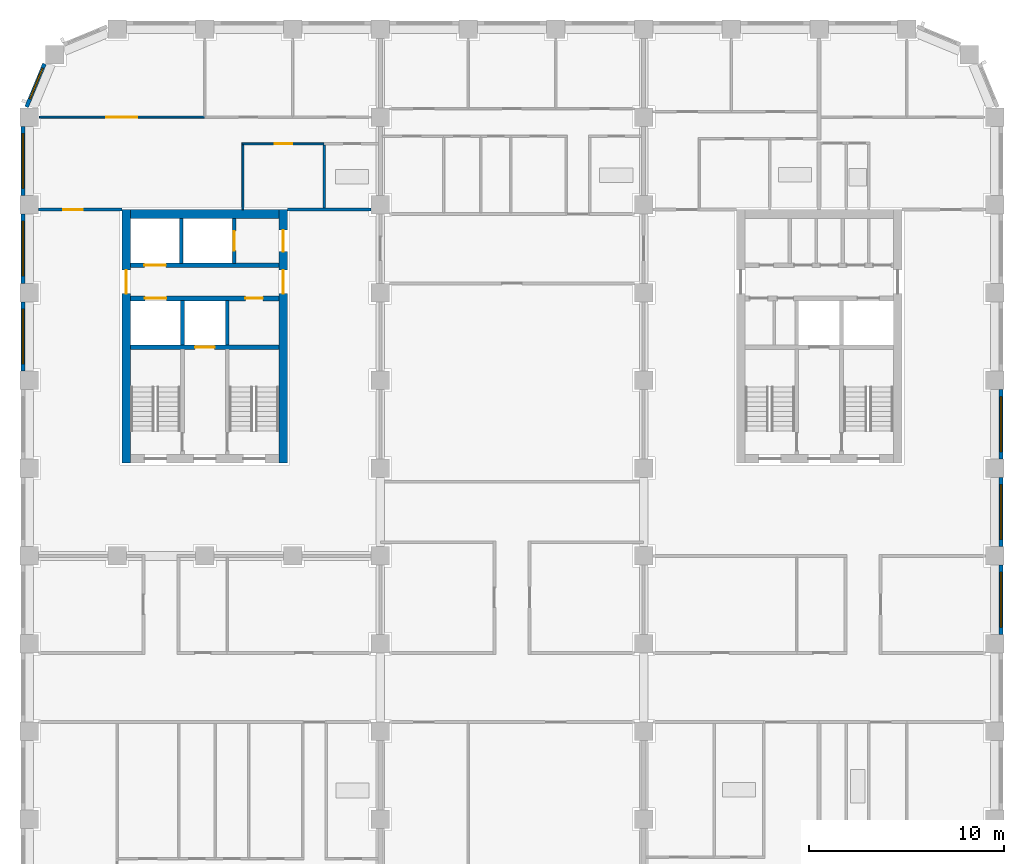
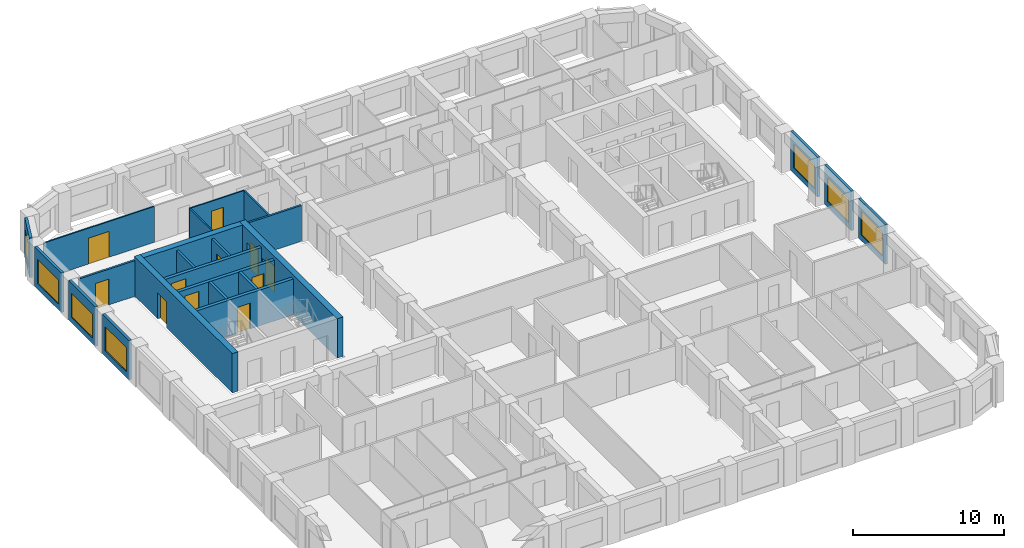
# One storey, part 6 of 13: 23 walls, 11 doors, 7 windows, 18 openings.
"""IFC4 building model written with IfcOpenShell, lengths in metres."""

from ifc_helpers import new_model, si_unit, direction, frame, frame_2d, origin, place, context, subcontext, project, spatial, rectangle, extrude, material, layer, layer_set, type_object, element, fill, save


model = new_model("IFC4")

# Units and contexts
model_context = context("Model", 3, precision=1e-05, world=origin(), true_north=direction((0.0, 1.0)))
body_context = subcontext(model_context, "Body", "Model", "MODEL_VIEW")
ifc_project = project(units=[si_unit("LENGTHUNIT", "METRE"), si_unit("AREAUNIT", "SQUARE_METRE"), si_unit("VOLUMEUNIT", "CUBIC_METRE"), si_unit("PLANEANGLEUNIT", "RADIAN"), si_unit("MASSUNIT", "GRAM", prefix="KILO")], contexts=[model_context])

# Site, building, storey
site_placement = place(None, origin())
site = spatial("IfcSite", under=ifc_project, at=site_placement, CompositionType="ELEMENT")
building_placement = place(site_placement, origin())
building = spatial("IfcBuilding", under=site, at=building_placement, Name="Girih Gate Residences", CompositionType="ELEMENT")
storey_placement = place(building_placement, frame((0.0, 0.0, 130.199951171875)))
storey = spatial("IfcBuildingStorey", under=building, at=storey_placement, Name="L36", CompositionType="ELEMENT", Elevation=130.199951171875)

# Wall, opening, door
ifc_material_1 = material(Name="Gypsum board on steel studs", Category="steel")
ifc_layer_1 = layer(ifc_material_1, 0.14990234375)
ifc_layer_set_1 = layer_set([ifc_layer_1], Name="Compartment wall 150 mm")
wall_type_1 = type_object("IfcWallType", Name="Compartment wall 150 mm", PredefinedType="PARTITIONING", material=ifc_layer_set_1)
wall_1_placement = place(storey_placement, frame((0.47509765625, 40.25, 0.0), z_axis=(0.0, 0.0, 1.0), x_axis=(1.0, 0.0, 0.0)))
wall_1 = element("IfcWall", 1, at=wall_1_placement, inside=storey, type_object=wall_type_1, Name="L36 partition", PredefinedType="PARTITIONING", context=body_context, shape_type="SweptSolid", body=[
    extrude(rectangle(XDim=4.27490234375, YDim=0.14990234375, at=frame_2d((2.137451171875, 0.0))), origin(), (0.0, 0.0, 1.0), 2.900146484375),
])
opening_1_placement = place(wall_1_placement, frame((1.27490234375, 0.0, 0.0)))
opening_1 = element("IfcOpeningElement", 2, at=opening_1_placement, cuts=wall_1, Name="Opening A36-016", PredefinedType="OPENING", context=body_context, shape_type="SweptSolid", body=[
    extrude(rectangle(XDim=1.0, YDim=2.10009765625, at=frame_2d((0.5, 1.050048828125))), frame((0.0, 0.0849609375, 0.0), z_axis=(0.0, -1.0, 0.0), x_axis=(1.0, 0.0, 0.0)), (0.0, 0.0, 1.0), 0.169921875),
])
ifc_material_2 = material(Name="Timber, fire-rated core", Category="wood")
door_type_1 = type_object("IfcDoorType", Name="Flat entrance door 1000x2100 FD30S", OperationType="NOTDEFINED", PredefinedType="DOOR", material=ifc_material_2)
door_1_placement = place(opening_1_placement, origin())
door_1 = element("IfcDoor", 3, at=door_1_placement, inside=storey, type_object=door_type_1, Name="Door A36-016", OperationType="SINGLE_SWING_LEFT", OverallHeight=2.10009765625, OverallWidth=1.0, PredefinedType="DOOR", context=body_context, shape_type="SweptSolid", body=[
    extrude(rectangle(XDim=1.0, YDim=2.10009765625, at=frame_2d((0.5, 1.050048828125))), frame((0.0, 0.02490234375, 0.0), z_axis=(0.0, -1.0, 0.0), x_axis=(1.0, 0.0, 0.0)), (0.0, 0.0, 1.0), 0.050048828125),
])
fill(opening_1, door_1)

# Walls
wall_2_placement = place(storey_placement, frame((13.25, 40.25, 0.0), z_axis=(0.0, 0.0, 1.0), x_axis=(1.0, 0.0, 0.0)))
element("IfcWall", 4, at=wall_2_placement, inside=storey, type_object=wall_type_1, Name="L36 partition", PredefinedType="PARTITIONING", context=body_context, shape_type="SweptSolid", body=[
    extrude(rectangle(XDim=4.27490234375, YDim=0.14990234375, at=frame_2d((2.137451171875, 0.0))), origin(), (0.0, 0.0, 1.0), 2.900146484375),
])
ifc_material_3 = material(Name="Concrete C60/75", Category="concrete")
ifc_layer_2 = layer(ifc_material_3, 0.449951171875)
ifc_layer_set_2 = layer_set([ifc_layer_2], Name="Core wall RC 450 Concrete C60/75")
wall_type_2 = type_object("IfcWallType", Name="Core wall RC 450 Concrete C60/75", PredefinedType="SOLIDWALL", material=ifc_layer_set_2)
wall_3_placement = place(storey_placement, frame((5.199951171875, 40.02490234375, 0.0), z_axis=(0.0, 0.0, 1.0), x_axis=(1.0, 0.0, 0.0)))
element("IfcWall", 5, at=wall_3_placement, inside=storey, type_object=wall_type_2, Name="Core wall W-N L36", PredefinedType="SOLIDWALL", context=body_context, shape_type="SweptSolid", body=[
    extrude(rectangle(XDim=7.60009765625, YDim=0.449951171875, at=frame_2d((3.800048828125, 0.0))), origin(), (0.0, 0.0, 1.0), 3.199951171875),
])

# Wall, opening, door
wall_4_placement = place(storey_placement, frame((4.97509765625, 27.25, 0.0), z_axis=(0.0, 0.0, 1.0), x_axis=(0.0, 1.0, 0.0)))
wall_4 = element("IfcWall", 6, at=wall_4_placement, inside=storey, type_object=wall_type_2, Name="Core wall W-W L36", PredefinedType="SOLIDWALL", context=body_context, shape_type="SweptSolid", body=[
    extrude(rectangle(XDim=13.0, YDim=0.449951171875, at=frame_2d((6.5, 0.0))), origin(), (0.0, 0.0, 1.0), 3.199951171875),
])
opening_2_placement = place(wall_4_placement, frame((8.699951171875, 0.0, 0.0)))
opening_2 = element("IfcOpeningElement", 7, at=opening_2_placement, cuts=wall_4, Name="Opening D-L36-W-012", PredefinedType="OPENING", context=body_context, shape_type="SweptSolid", body=[
    extrude(rectangle(XDim=1.199951171875, YDim=2.10009765625, at=frame_2d((0.60009765625, 1.050048828125))), frame((0.0, 0.23486328125, 0.0), z_axis=(0.0, -1.0, 0.0), x_axis=(1.0, 0.0, 0.0)), (0.0, 0.0, 1.0), 0.469970703125),
])
ifc_material_4 = material(Name="Painted steel, fire-resisting", Category="steel")
door_type_2 = type_object("IfcDoorType", Name="Fire door 1200x2100", OperationType="SINGLE_SWING_LEFT", PredefinedType="DOOR", material=ifc_material_4)
door_2_placement = place(opening_2_placement, origin())
door_2 = element("IfcDoor", 8, at=door_2_placement, inside=storey, type_object=door_type_2, Name="L36 W core door ll-w", OperationType="SINGLE_SWING_LEFT", OverallHeight=2.10009765625, OverallWidth=1.199951171875, PredefinedType="DOOR", context=body_context, shape_type="SweptSolid", body=[
    extrude(rectangle(XDim=1.199951171875, YDim=2.10009765625, at=frame_2d((0.60009765625, 1.050048828125))), frame((0.0, 0.02490234375, 0.0), z_axis=(0.0, -1.0, 0.0), x_axis=(1.0, 0.0, 0.0)), (0.0, 0.0, 1.0), 0.050048828125),
])
fill(opening_2, door_2)

# Wall, openings, doors
wall_5_placement = place(storey_placement, frame((13.02490234375, 27.25, 0.0), z_axis=(0.0, 0.0, 1.0), x_axis=(0.0, 1.0, 0.0)))
wall_5 = element("IfcWall", 9, at=wall_5_placement, inside=storey, type_object=wall_type_2, Name="Core wall W-E L36", PredefinedType="SOLIDWALL", context=body_context, shape_type="SweptSolid", body=[
    extrude(rectangle(XDim=13.0, YDim=0.449951171875, at=frame_2d((6.5, 0.0))), origin(), (0.0, 0.0, 1.0), 3.199951171875),
])
opening_3_placement = place(wall_5_placement, frame((10.85009765625, 0.0, 0.0)))
opening_3 = element("IfcOpeningElement", 10, at=opening_3_placement, cuts=wall_5, Name="Opening D-L36-W-011", PredefinedType="OPENING", context=body_context, shape_type="SweptSolid", body=[
    extrude(rectangle(XDim=1.10009765625, YDim=2.10009765625, at=frame_2d((0.550048828125, 1.050048828125))), frame((0.0, 0.23486328125, 0.0), z_axis=(0.0, -1.0, 0.0), x_axis=(1.0, 0.0, 0.0)), (0.0, 0.0, 1.0), 0.469970703125),
])
opening_4_placement = place(wall_5_placement, frame((8.699951171875, 0.0, 0.0)))
opening_4 = element("IfcOpeningElement", 11, at=opening_4_placement, cuts=wall_5, Name="Opening D-L36-W-013", PredefinedType="OPENING", context=body_context, shape_type="SweptSolid", body=[
    extrude(rectangle(XDim=1.199951171875, YDim=2.10009765625, at=frame_2d((0.60009765625, 1.050048828125))), frame((0.0, 0.23486328125, 0.0), z_axis=(0.0, -1.0, 0.0), x_axis=(1.0, 0.0, 0.0)), (0.0, 0.0, 1.0), 0.469970703125),
])
door_type_3 = type_object("IfcDoorType", Name="Fire door 1100x2100", OperationType="SINGLE_SWING_LEFT", PredefinedType="DOOR", material=ifc_material_4)
door_3_placement = place(opening_3_placement, origin())
door_3 = element("IfcDoor", 12, at=door_3_placement, inside=storey, type_object=door_type_3, Name="L36 W core door ffl2-e", OperationType="SINGLE_SWING_LEFT", OverallHeight=2.10009765625, OverallWidth=1.10009765625, PredefinedType="DOOR", context=body_context, shape_type="SweptSolid", body=[
    extrude(rectangle(XDim=1.10009765625, YDim=2.10009765625, at=frame_2d((0.550048828125, 1.050048828125))), frame((0.0, 0.02490234375, 0.0), z_axis=(0.0, -1.0, 0.0), x_axis=(1.0, 0.0, 0.0)), (0.0, 0.0, 1.0), 0.050048828125),
])
fill(opening_3, door_3)
door_4_placement = place(opening_4_placement, origin())
door_4 = element("IfcDoor", 13, at=door_4_placement, inside=storey, type_object=door_type_2, Name="L36 W core door ll-e", OperationType="SINGLE_SWING_LEFT", OverallHeight=2.10009765625, OverallWidth=1.199951171875, PredefinedType="DOOR", context=body_context, shape_type="SweptSolid", body=[
    extrude(rectangle(XDim=1.199951171875, YDim=2.10009765625, at=frame_2d((0.60009765625, 1.050048828125))), frame((0.0, 0.02490234375, 0.0), z_axis=(0.0, -1.0, 0.0), x_axis=(1.0, 0.0, 0.0)), (0.0, 0.0, 1.0), 0.050048828125),
])
fill(opening_4, door_4)

# Wall, opening, door
ifc_material_5 = material(Name="Concrete C40/50", Category="concrete")
ifc_layer_3 = layer(ifc_material_5, 0.25)
ifc_layer_set_3 = layer_set([ifc_layer_3], Name="Lift shaft wall 250")
wall_type_3 = type_object("IfcWallType", Name="Lift shaft wall 250", PredefinedType="SOLIDWALL", material=ifc_layer_set_3)
wall_6_placement = place(storey_placement, frame((5.199951171875, 33.199951171875, 0.0), z_axis=(0.0, 0.0, 1.0), x_axis=(1.0, 0.0, 0.0)))
wall_6 = element("IfcWall", 14, at=wall_6_placement, inside=storey, type_object=wall_type_3, Name="L36 W core wall H1", PredefinedType="SOLIDWALL", context=body_context, shape_type="SweptSolid", body=[
    extrude(rectangle(XDim=7.60009765625, YDim=0.25, at=frame_2d((3.800048828125, 0.0))), origin(), (0.0, 0.0, 1.0), 2.900146484375),
])
opening_5_placement = place(wall_6_placement, frame((3.300048828125, 0.0, 0.0)))
opening_5 = element("IfcOpeningElement", 15, at=opening_5_placement, cuts=wall_6, Name="Opening D-L36-W-006", PredefinedType="OPENING", context=body_context, shape_type="SweptSolid", body=[
    extrude(rectangle(XDim=1.0, YDim=2.10009765625, at=frame_2d((0.5, 1.050048828125))), frame((0.0, 0.135009765625, 0.0), z_axis=(0.0, -1.0, 0.0), x_axis=(1.0, 0.0, 0.0)), (0.0, 0.0, 1.0), 0.27001953125),
])
ifc_material_6 = material(Name="Stainless steel, fire-resisting", Category="steel")
door_type_4 = type_object("IfcDoorType", Name="Firefighting lift landing door 1000x2100", OperationType="SLIDING_TO_LEFT", PredefinedType="DOOR", material=ifc_material_6)
door_5_placement = place(opening_5_placement, origin())
door_5 = element("IfcDoor", 16, at=door_5_placement, inside=storey, type_object=door_type_4, Name="L36 lift FF-W landing door", OperationType="SLIDING_TO_LEFT", OverallHeight=2.10009765625, OverallWidth=1.0, PredefinedType="DOOR", context=body_context, shape_type="SweptSolid", body=[
    extrude(rectangle(XDim=1.0, YDim=2.10009765625, at=frame_2d((0.5, 1.050048828125))), frame((0.0, 0.02490234375, 0.0), z_axis=(0.0, -1.0, 0.0), x_axis=(1.0, 0.0, 0.0)), (0.0, 0.0, 1.0), 0.050048828125),
])
fill(opening_5, door_5)

# Wall, openings, doors
wall_7_placement = place(storey_placement, frame((5.199951171875, 35.699951171875, 0.0), z_axis=(0.0, 0.0, 1.0), x_axis=(1.0, 0.0, 0.0)))
wall_7 = element("IfcWall", 17, at=wall_7_placement, inside=storey, type_object=wall_type_3, Name="L36 W core wall H2", PredefinedType="SOLIDWALL", context=body_context, shape_type="SweptSolid", body=[
    extrude(rectangle(XDim=7.60009765625, YDim=0.25, at=frame_2d((3.800048828125, 0.0))), origin(), (0.0, 0.0, 1.0), 2.900146484375),
])
opening_6_placement = place(wall_7_placement, frame((0.72509765625, 0.0, 0.0)))
opening_6 = element("IfcOpeningElement", 18, at=opening_6_placement, cuts=wall_7, Name="Opening D-L36-W-005", PredefinedType="OPENING", context=body_context, shape_type="SweptSolid", body=[
    extrude(rectangle(XDim=1.10009765625, YDim=2.39990234375, at=frame_2d((0.550048828125, 1.199951171875))), frame((0.0, 0.135009765625, 0.0), z_axis=(0.0, -1.0, 0.0), x_axis=(1.0, 0.0, 0.0)), (0.0, 0.0, 1.0), 0.27001953125),
])
opening_7_placement = place(wall_7_placement, frame((5.875, 0.0, 0.0)))
opening_7 = element("IfcOpeningElement", 19, at=opening_7_placement, cuts=wall_7, Name="Opening D-L36-W-007", PredefinedType="OPENING", context=body_context, shape_type="SweptSolid", body=[
    extrude(rectangle(XDim=0.89990234375, YDim=2.10009765625, at=frame_2d((0.449951171875, 1.050048828125))), frame((0.0, 0.135009765625, 0.0), z_axis=(0.0, -1.0, 0.0), x_axis=(1.0, 0.0, 0.0)), (0.0, 0.0, 1.0), 0.27001953125),
])
door_type_5 = type_object("IfcDoorType", Name="Fire door 900x2100", OperationType="SINGLE_SWING_LEFT", PredefinedType="DOOR", material=ifc_material_4)
door_6_placement = place(opening_7_placement, origin())
door_6 = element("IfcDoor", 20, at=door_6_placement, inside=storey, type_object=door_type_5, Name="L36 W housekeeping store door", OperationType="SINGLE_SWING_LEFT", OverallHeight=2.10009765625, OverallWidth=0.89990234375, PredefinedType="DOOR", context=body_context, shape_type="SweptSolid", body=[
    extrude(rectangle(XDim=0.89990234375, YDim=2.10009765625, at=frame_2d((0.449951171875, 1.050048828125))), frame((0.0, 0.02490234375, 0.0), z_axis=(0.0, -1.0, 0.0), x_axis=(1.0, 0.0, 0.0)), (0.0, 0.0, 1.0), 0.050048828125),
])
fill(opening_7, door_6)
ifc_material_7 = material(Name="Stainless steel", Category="steel")
door_type_6 = type_object("IfcDoorType", Name="Lift landing door 1100x2400", OperationType="SLIDING_TO_LEFT", PredefinedType="DOOR", material=ifc_material_7)
door_7_placement = place(opening_6_placement, origin())
door_7 = element("IfcDoor", 21, at=door_7_placement, inside=storey, type_object=door_type_6, Name="L36 lift HR-W1 landing door", OperationType="SLIDING_TO_LEFT", OverallHeight=2.39990234375, OverallWidth=1.10009765625, PredefinedType="DOOR", context=body_context, shape_type="SweptSolid", body=[
    extrude(rectangle(XDim=1.10009765625, YDim=2.39990234375, at=frame_2d((0.550048828125, 1.199951171875))), frame((0.0, 0.02490234375, 0.0), z_axis=(0.0, -1.0, 0.0), x_axis=(1.0, 0.0, 0.0)), (0.0, 0.0, 1.0), 0.050048828125),
])
fill(opening_6, door_7)

# Wall, opening, door
wall_8_placement = place(storey_placement, frame((5.199951171875, 37.39990234375, 0.0), z_axis=(0.0, 0.0, 1.0), x_axis=(1.0, 0.0, 0.0)))
wall_8 = element("IfcWall", 22, at=wall_8_placement, inside=storey, type_object=wall_type_3, Name="L36 W core wall H3", PredefinedType="SOLIDWALL", context=body_context, shape_type="SweptSolid", body=[
    extrude(rectangle(XDim=7.60009765625, YDim=0.25, at=frame_2d((3.800048828125, 0.0))), origin(), (0.0, 0.0, 1.0), 2.900146484375),
])
opening_8_placement = place(wall_8_placement, frame((0.699951171875, 0.0, 0.0)))
opening_8 = element("IfcOpeningElement", 23, at=opening_8_placement, cuts=wall_8, Name="Opening D-L36-W-003", PredefinedType="OPENING", context=body_context, shape_type="SweptSolid", body=[
    extrude(rectangle(XDim=1.10009765625, YDim=2.39990234375, at=frame_2d((0.550048828125, 1.199951171875))), frame((0.0, 0.135009765625, 0.0), z_axis=(0.0, -1.0, 0.0), x_axis=(1.0, 0.0, 0.0)), (0.0, 0.0, 1.0), 0.27001953125),
])
door_8_placement = place(opening_8_placement, origin())
door_8 = element("IfcDoor", 24, at=door_8_placement, inside=storey, type_object=door_type_6, Name="L36 lift LR-W1 landing door", OperationType="SLIDING_TO_LEFT", OverallHeight=2.39990234375, OverallWidth=1.10009765625, PredefinedType="DOOR", context=body_context, shape_type="SweptSolid", body=[
    extrude(rectangle(XDim=1.10009765625, YDim=2.39990234375, at=frame_2d((0.550048828125, 1.199951171875))), frame((0.0, 0.02490234375, 0.0), z_axis=(0.0, -1.0, 0.0), x_axis=(1.0, 0.0, 0.0)), (0.0, 0.0, 1.0), 0.050048828125),
])
fill(opening_8, door_8)

ifc_layer_4 = layer(ifc_material_1, 0.10009765625)
ifc_layer_set_4 = layer_set([ifc_layer_4], Name="Partition 100 mm")
wall_type_4 = type_object("IfcWallType", Name="Partition 100 mm", PredefinedType="PARTITIONING", material=ifc_layer_set_4)
wall_9_placement = place(storey_placement, frame((15.119384765625, 43.6201171875, 0.0), z_axis=(0.0, 0.0, 1.0), x_axis=(-1.0, 0.0, 0.0)))
wall_9 = element("IfcWall", 25, at=wall_9_placement, inside=storey, type_object=wall_type_4, Name="L36 partition", PredefinedType="PARTITIONING", context=body_context, shape_type="SweptSolid", body=[
    extrude(rectangle(XDim=4.219482421875, YDim=0.10009765625, at=frame_2d((2.10986328125, 0.0))), origin(), (0.0, 0.0, 1.0), 2.900146484375),
])
opening_9_placement = place(wall_9_placement, frame((1.634765625, 0.0, 0.0)))
opening_9 = element("IfcOpeningElement", 26, at=opening_9_placement, cuts=wall_9, Name="Opening A36-014", PredefinedType="OPENING", context=body_context, shape_type="SweptSolid", body=[
    extrude(rectangle(XDim=0.89990234375, YDim=2.10009765625, at=frame_2d((0.449951171875, 1.050048828125))), frame((0.0, 0.06005859375, 0.0), z_axis=(0.0, -1.0, 0.0), x_axis=(1.0, 0.0, 0.0)), (0.0, 0.0, 1.0), 0.1201171875),
])
ifc_material_8 = material(Name="Timber", Category="wood")
door_type_7 = type_object("IfcDoorType", Name="Kitchen door 900x2100", OperationType="NOTDEFINED", PredefinedType="DOOR", material=ifc_material_8)
door_9_placement = place(opening_9_placement, origin())
door_9 = element("IfcDoor", 27, at=door_9_placement, inside=storey, type_object=door_type_7, Name="Door A36-014", OperationType="SINGLE_SWING_LEFT", OverallHeight=2.10009765625, OverallWidth=0.89990234375, PredefinedType="DOOR", context=body_context, shape_type="SweptSolid", body=[
    extrude(rectangle(XDim=0.89990234375, YDim=2.10009765625, at=frame_2d((0.449951171875, 1.050048828125))), frame((0.0, 0.02490234375, 0.0), z_axis=(0.0, -1.0, 0.0), x_axis=(1.0, 0.0, 0.0)), (0.0, 0.0, 1.0), 0.050048828125),
])
fill(opening_9, door_9)

# Wall
wall_10_placement = place(storey_placement, frame((10.949951171875, 40.25, 0.0), z_axis=(0.0, 0.0, 1.0), x_axis=(0.0, 1.0, 0.0)))
element("IfcWall", 28, at=wall_10_placement, inside=storey, type_object=wall_type_4, Name="L36 partition", PredefinedType="PARTITIONING", context=body_context, shape_type="SweptSolid", body=[
    extrude(rectangle(XDim=3.320068359375, YDim=0.10009765625, at=frame_2d((1.66015625, 0.0))), origin(), (0.0, 0.0, 1.0), 2.900146484375),
])

# Wall, opening, door
wall_11_placement = place(storey_placement, frame((0.51416015625, 45.0, 0.0), z_axis=(0.0, 0.0, 1.0), x_axis=(1.0, 0.0, 0.0)))
wall_11 = element("IfcWall", 29, at=wall_11_placement, inside=storey, type_object=wall_type_4, Name="L36 partition", PredefinedType="PARTITIONING", context=body_context, shape_type="SweptSolid", body=[
    extrude(rectangle(XDim=8.48583984375, YDim=0.10009765625, at=frame_2d((4.242919921875, 0.0))), origin(), (0.0, 0.0, 1.0), 2.900146484375),
])
opening_10_placement = place(wall_11_placement, frame((3.42333984375, 0.0, 0.0)))
opening_10 = element("IfcOpeningElement", 30, at=opening_10_placement, cuts=wall_11, Name="Opening A36-015", PredefinedType="OPENING", context=body_context, shape_type="SweptSolid", body=[
    extrude(rectangle(XDim=1.60009765625, YDim=2.10009765625, at=frame_2d((0.800048828125, 1.050048828125))), frame((0.0, 0.06005859375, 0.0), z_axis=(0.0, -1.0, 0.0), x_axis=(1.0, 0.0, 0.0)), (0.0, 0.0, 1.0), 0.1201171875),
])
door_type_8 = type_object("IfcDoorType", Name="Double leaf door 1600x2100", OperationType="NOTDEFINED", PredefinedType="DOOR", material=ifc_material_8)
door_10_placement = place(opening_10_placement, origin())
door_10 = element("IfcDoor", 31, at=door_10_placement, inside=storey, type_object=door_type_8, Name="Door A36-015", OperationType="SINGLE_SWING_LEFT", OverallHeight=2.10009765625, OverallWidth=1.60009765625, PredefinedType="DOOR", context=body_context, shape_type="SweptSolid", body=[
    extrude(rectangle(XDim=1.60009765625, YDim=2.10009765625, at=frame_2d((0.800048828125, 1.050048828125))), frame((0.0, 0.02490234375, 0.0), z_axis=(0.0, -1.0, 0.0), x_axis=(1.0, 0.0, 0.0)), (0.0, 0.0, 1.0), 0.050048828125),
])
fill(opening_10, door_10)

# Wall, opening, window
ifc_material_9 = material(Name="Precast concrete C50/60", Category="concrete")
ifc_layer_5 = layer(ifc_material_9, 0.06005859375, Name="Outer leaf")
ifc_material_10 = material(Name="Rigid PIR insulation")
ifc_layer_6 = layer(ifc_material_10, 0.090087890625, Name="Insulation")
ifc_material_11 = material(Name="Precast concrete C40/50", Category="concrete")
ifc_layer_7 = layer(ifc_material_11, 0.050048828125, Name="Inner leaf")
ifc_layer_set_5 = layer_set([ifc_layer_5, ifc_layer_6, ifc_layer_7], Name="Precast concrete C50/60 external wall 200")
wall_type_5 = type_object("IfcWallType", Name="Precast concrete C50/60 external wall 200", PredefinedType="SOLIDWALL", material=ifc_layer_set_5)
wall_12_placement = place(storey_placement, frame((49.824951171875, 22.02490234375, 0.0), z_axis=(0.0, 0.0, 1.0), x_axis=(0.0, -1.0, 0.0)))
wall_12 = element("IfcWall", 32, at=wall_12_placement, inside=storey, type_object=wall_type_5, Name="External wall E0495_0045.3", PredefinedType="SOLIDWALL", context=body_context, shape_type="SweptSolid", body=[
    extrude(rectangle(XDim=3.5498046875, YDim=0.199951171875, at=frame_2d((1.77490234375, 0.0))), origin(), (0.0, 0.0, 1.0), 3.199951171875),
])
opening_11_placement = place(wall_12_placement, frame((0.375, 0.0, 0.449951171875)))
opening_11 = element("IfcOpeningElement", 33, at=opening_11_placement, cuts=wall_12, Name="Opening W-1B", PredefinedType="OPENING", context=body_context, shape_type="SweptSolid", body=[
    extrude(rectangle(XDim=2.800048828125, YDim=1.949951171875, at=frame_2d((1.39990234375, 0.97509765625))), frame((0.0, 0.10986328125, 0.0), z_axis=(0.0, -1.0, 0.0), x_axis=(1.0, 0.0, 0.0)), (0.0, 0.0, 1.0), 0.219970703125),
])
ifc_material_12 = material(Name="Double glazing in aluminium frame", Category="aluminium")
window_type_1 = type_object("IfcWindowType", Name="Window W-1B 2800x1950", PartitioningType="SINGLE_PANEL", PredefinedType="WINDOW", material=ifc_material_12)
window_1_placement = place(opening_11_placement, origin())
window_1 = element("IfcWindow", 34, at=window_1_placement, inside=storey, type_object=window_type_1, Name="Window W-1B E0495_0045.3", OverallHeight=1.949951171875, OverallWidth=2.800048828125, PartitioningType="SINGLE_PANEL", PredefinedType="WINDOW", context=body_context, shape_type="SweptSolid", body=[
    extrude(rectangle(XDim=2.800048828125, YDim=1.949951171875, at=frame_2d((1.39990234375, 0.97509765625))), frame((0.0, 0.030029296875, 0.0), z_axis=(0.0, -1.0, 0.0), x_axis=(1.0, 0.0, 0.0)), (0.0, 0.0, 1.0), 0.06005859375),
])
fill(opening_11, window_1)

wall_13_placement = place(storey_placement, frame((49.824951171875, 26.52490234375, 0.0), z_axis=(0.0, 0.0, 1.0), x_axis=(0.0, -1.0, 0.0)))
wall_13 = element("IfcWall", 35, at=wall_13_placement, inside=storey, type_object=wall_type_5, Name="External wall E0495_0045.4", PredefinedType="SOLIDWALL", context=body_context, shape_type="SweptSolid", body=[
    extrude(rectangle(XDim=3.5498046875, YDim=0.199951171875, at=frame_2d((1.77490234375, 0.0))), origin(), (0.0, 0.0, 1.0), 3.199951171875),
])
opening_12_placement = place(wall_13_placement, frame((0.375, 0.0, 0.449951171875)))
opening_12 = element("IfcOpeningElement", 36, at=opening_12_placement, cuts=wall_13, Name="Opening W-1B", PredefinedType="OPENING", context=body_context, shape_type="SweptSolid", body=[
    extrude(rectangle(XDim=2.800048828125, YDim=1.949951171875, at=frame_2d((1.39990234375, 0.97509765625))), frame((0.0, 0.10986328125, 0.0), z_axis=(0.0, -1.0, 0.0), x_axis=(1.0, 0.0, 0.0)), (0.0, 0.0, 1.0), 0.219970703125),
])
window_2_placement = place(opening_12_placement, origin())
window_2 = element("IfcWindow", 37, at=window_2_placement, inside=storey, type_object=window_type_1, Name="Window W-1B E0495_0045.4", OverallHeight=1.949951171875, OverallWidth=2.800048828125, PartitioningType="SINGLE_PANEL", PredefinedType="WINDOW", context=body_context, shape_type="SweptSolid", body=[
    extrude(rectangle(XDim=2.800048828125, YDim=1.949951171875, at=frame_2d((1.39990234375, 0.97509765625))), frame((0.0, 0.030029296875, 0.0), z_axis=(0.0, -1.0, 0.0), x_axis=(1.0, 0.0, 0.0)), (0.0, 0.0, 1.0), 0.06005859375),
])
fill(opening_12, window_2)

wall_14_placement = place(storey_placement, frame((49.824951171875, 31.02490234375, 0.0), z_axis=(0.0, 0.0, 1.0), x_axis=(0.0, -1.0, 0.0)))
wall_14 = element("IfcWall", 38, at=wall_14_placement, inside=storey, type_object=wall_type_5, Name="External wall E0495_0045.5", PredefinedType="SOLIDWALL", context=body_context, shape_type="SweptSolid", body=[
    extrude(rectangle(XDim=3.5498046875, YDim=0.199951171875, at=frame_2d((1.77490234375, 0.0))), origin(), (0.0, 0.0, 1.0), 3.199951171875),
])
opening_13_placement = place(wall_14_placement, frame((0.375, 0.0, 0.449951171875)))
opening_13 = element("IfcOpeningElement", 39, at=opening_13_placement, cuts=wall_14, Name="Opening W-1B", PredefinedType="OPENING", context=body_context, shape_type="SweptSolid", body=[
    extrude(rectangle(XDim=2.800048828125, YDim=1.949951171875, at=frame_2d((1.39990234375, 0.97509765625))), frame((0.0, 0.10986328125, 0.0), z_axis=(0.0, -1.0, 0.0), x_axis=(1.0, 0.0, 0.0)), (0.0, 0.0, 1.0), 0.219970703125),
])
window_3_placement = place(opening_13_placement, origin())
window_3 = element("IfcWindow", 40, at=window_3_placement, inside=storey, type_object=window_type_1, Name="Window W-1B E0495_0045.5", OverallHeight=1.949951171875, OverallWidth=2.800048828125, PartitioningType="SINGLE_PANEL", PredefinedType="WINDOW", context=body_context, shape_type="SweptSolid", body=[
    extrude(rectangle(XDim=2.800048828125, YDim=1.949951171875, at=frame_2d((1.39990234375, 0.97509765625))), frame((0.0, 0.030029296875, 0.0), z_axis=(0.0, -1.0, 0.0), x_axis=(1.0, 0.0, 0.0)), (0.0, 0.0, 1.0), 0.06005859375),
])
fill(opening_13, window_3)

wall_15_placement = place(storey_placement, frame((-0.13916015625, 45.51318359375, 0.0), z_axis=(0.0, 0.0, 1.0), x_axis=(0.382680855588, 0.923880599843, 0.0)))
wall_15 = element("IfcWall", 41, at=wall_15_placement, inside=storey, type_object=wall_type_5, Name="External wall NW0013_0482.0", PredefinedType="SOLIDWALL", context=body_context, shape_type="SweptSolid", body=[
    extrude(rectangle(XDim=2.402587890625, YDim=0.199951171875, at=frame_2d((1.201171875, 0.0))), origin(), (0.0, 0.0, 1.0), 3.199951171875),
])
opening_14_placement = place(wall_15_placement, frame((0.451171875, 0.0, 0.449951171875)))
opening_14 = element("IfcOpeningElement", 42, at=opening_14_placement, cuts=wall_15, Name="Opening W-2E", PredefinedType="OPENING", context=body_context, shape_type="SweptSolid", body=[
    extrude(rectangle(XDim=1.699951171875, YDim=1.949951171875, at=frame_2d((0.85009765625, 0.97509765625))), frame((0.0, 0.10986328125, 0.0), z_axis=(0.0, -1.0, 0.0), x_axis=(1.0, 0.0, 0.0)), (0.0, 0.0, 1.0), 0.219970703125),
])
window_type_2 = type_object("IfcWindowType", Name="Window W-2E 1700x1950", PartitioningType="SINGLE_PANEL", PredefinedType="WINDOW", material=ifc_material_12)
window_4_placement = place(opening_14_placement, origin())
window_4 = element("IfcWindow", 43, at=window_4_placement, inside=storey, type_object=window_type_2, Name="Window W-2E NW0013_0482.0", OverallHeight=1.949951171875, OverallWidth=1.699951171875, PartitioningType="SINGLE_PANEL", PredefinedType="WINDOW", context=body_context, shape_type="SweptSolid", body=[
    extrude(rectangle(XDim=1.699951171875, YDim=1.949951171875, at=frame_2d((0.85009765625, 0.97509765625))), frame((0.0, 0.030029296875, 0.0), z_axis=(0.0, -1.0, 0.0), x_axis=(1.0, 0.0, 0.0)), (0.0, 0.0, 1.0), 0.06005859375),
])
fill(opening_14, window_4)

wall_16_placement = place(storey_placement, frame((-0.324951171875, 40.97509765625, 0.0), z_axis=(0.0, 0.0, 1.0), x_axis=(0.0, 1.0, 0.0)))
wall_16 = element("IfcWall", 44, at=wall_16_placement, inside=storey, type_object=wall_type_5, Name="External wall W0000_0450.0", PredefinedType="SOLIDWALL", context=body_context, shape_type="SweptSolid", body=[
    extrude(rectangle(XDim=3.5498046875, YDim=0.199951171875, at=frame_2d((1.77490234375, 0.0))), origin(), (0.0, 0.0, 1.0), 3.199951171875),
])
opening_15_placement = place(wall_16_placement, frame((0.375, 0.0, 0.449951171875)))
opening_15 = element("IfcOpeningElement", 45, at=opening_15_placement, cuts=wall_16, Name="Opening W-1B", PredefinedType="OPENING", context=body_context, shape_type="SweptSolid", body=[
    extrude(rectangle(XDim=2.800048828125, YDim=1.949951171875, at=frame_2d((1.39990234375, 0.97509765625))), frame((0.0, 0.10986328125, 0.0), z_axis=(0.0, -1.0, 0.0), x_axis=(1.0, 0.0, 0.0)), (0.0, 0.0, 1.0), 0.219970703125),
])
window_5_placement = place(opening_15_placement, origin())
window_5 = element("IfcWindow", 46, at=window_5_placement, inside=storey, type_object=window_type_1, Name="Window W-1B W0000_0450.0", OverallHeight=1.949951171875, OverallWidth=2.800048828125, PartitioningType="SINGLE_PANEL", PredefinedType="WINDOW", context=body_context, shape_type="SweptSolid", body=[
    extrude(rectangle(XDim=2.800048828125, YDim=1.949951171875, at=frame_2d((1.39990234375, 0.97509765625))), frame((0.0, 0.030029296875, 0.0), z_axis=(0.0, -1.0, 0.0), x_axis=(1.0, 0.0, 0.0)), (0.0, 0.0, 1.0), 0.06005859375),
])
fill(opening_15, window_5)

wall_17_placement = place(storey_placement, frame((-0.324951171875, 36.47509765625, 0.0), z_axis=(0.0, 0.0, 1.0), x_axis=(0.0, 1.0, 0.0)))
wall_17 = element("IfcWall", 47, at=wall_17_placement, inside=storey, type_object=wall_type_5, Name="External wall W0000_0450.1", PredefinedType="SOLIDWALL", context=body_context, shape_type="SweptSolid", body=[
    extrude(rectangle(XDim=3.5498046875, YDim=0.199951171875, at=frame_2d((1.77490234375, 0.0))), origin(), (0.0, 0.0, 1.0), 3.199951171875),
])
opening_16_placement = place(wall_17_placement, frame((0.375, 0.0, 0.449951171875)))
opening_16 = element("IfcOpeningElement", 48, at=opening_16_placement, cuts=wall_17, Name="Opening W-1B", PredefinedType="OPENING", context=body_context, shape_type="SweptSolid", body=[
    extrude(rectangle(XDim=2.800048828125, YDim=1.949951171875, at=frame_2d((1.39990234375, 0.97509765625))), frame((0.0, 0.10986328125, 0.0), z_axis=(0.0, -1.0, 0.0), x_axis=(1.0, 0.0, 0.0)), (0.0, 0.0, 1.0), 0.219970703125),
])
window_6_placement = place(opening_16_placement, origin())
window_6 = element("IfcWindow", 49, at=window_6_placement, inside=storey, type_object=window_type_1, Name="Window W-1B W0000_0450.1", OverallHeight=1.949951171875, OverallWidth=2.800048828125, PartitioningType="SINGLE_PANEL", PredefinedType="WINDOW", context=body_context, shape_type="SweptSolid", body=[
    extrude(rectangle(XDim=2.800048828125, YDim=1.949951171875, at=frame_2d((1.39990234375, 0.97509765625))), frame((0.0, 0.030029296875, 0.0), z_axis=(0.0, -1.0, 0.0), x_axis=(1.0, 0.0, 0.0)), (0.0, 0.0, 1.0), 0.06005859375),
])
fill(opening_16, window_6)

wall_18_placement = place(storey_placement, frame((-0.324951171875, 31.97509765625, 0.0), z_axis=(0.0, 0.0, 1.0), x_axis=(0.0, 1.0, 0.0)))
wall_18 = element("IfcWall", 50, at=wall_18_placement, inside=storey, type_object=wall_type_5, Name="External wall W0000_0450.2", PredefinedType="SOLIDWALL", context=body_context, shape_type="SweptSolid", body=[
    extrude(rectangle(XDim=3.5498046875, YDim=0.199951171875, at=frame_2d((1.77490234375, 0.0))), origin(), (0.0, 0.0, 1.0), 3.199951171875),
])
opening_17_placement = place(wall_18_placement, frame((0.375, 0.0, 0.449951171875)))
opening_17 = element("IfcOpeningElement", 51, at=opening_17_placement, cuts=wall_18, Name="Opening W-1B", PredefinedType="OPENING", context=body_context, shape_type="SweptSolid", body=[
    extrude(rectangle(XDim=2.800048828125, YDim=1.949951171875, at=frame_2d((1.39990234375, 0.97509765625))), frame((0.0, 0.10986328125, 0.0), z_axis=(0.0, -1.0, 0.0), x_axis=(1.0, 0.0, 0.0)), (0.0, 0.0, 1.0), 0.219970703125),
])
window_7_placement = place(opening_17_placement, origin())
window_7 = element("IfcWindow", 52, at=window_7_placement, inside=storey, type_object=window_type_1, Name="Window W-1B W0000_0450.2", OverallHeight=1.949951171875, OverallWidth=2.800048828125, PartitioningType="SINGLE_PANEL", PredefinedType="WINDOW", context=body_context, shape_type="SweptSolid", body=[
    extrude(rectangle(XDim=2.800048828125, YDim=1.949951171875, at=frame_2d((1.39990234375, 0.97509765625))), frame((0.0, 0.030029296875, 0.0), z_axis=(0.0, -1.0, 0.0), x_axis=(1.0, 0.0, 0.0)), (0.0, 0.0, 1.0), 0.06005859375),
])
fill(opening_17, window_7)

# Wall
ifc_layer_8 = layer(ifc_material_5, 0.175048828125)
ifc_layer_set_6 = layer_set([ifc_layer_8], Name="Riser shaft wall 175")
wall_type_6 = type_object("IfcWallType", Name="Riser shaft wall 175", PredefinedType="SOLIDWALL", material=ifc_layer_set_6)
wall_19_placement = place(storey_placement, frame((7.800048828125, 37.5, 0.0), z_axis=(0.0, 0.0, 1.0), x_axis=(0.0, 1.0, 0.0)))
element("IfcWall", 53, at=wall_19_placement, inside=storey, type_object=wall_type_6, Name="L36 W core wall V1c", PredefinedType="SOLIDWALL", context=body_context, shape_type="SweptSolid", body=[
    extrude(rectangle(XDim=2.300048828125, YDim=0.175048828125, at=frame_2d((1.14990234375, 0.0))), origin(), (0.0, 0.0, 1.0), 2.900146484375),
])

# Wall, opening, door
wall_20_placement = place(storey_placement, frame((10.5, 37.5, 0.0), z_axis=(0.0, 0.0, 1.0), x_axis=(0.0, 1.0, 0.0)))
wall_20 = element("IfcWall", 54, at=wall_20_placement, inside=storey, type_object=wall_type_6, Name="L36 W core wall V2c", PredefinedType="SOLIDWALL", context=body_context, shape_type="SweptSolid", body=[
    extrude(rectangle(XDim=2.300048828125, YDim=0.175048828125, at=frame_2d((1.14990234375, 0.0))), origin(), (0.0, 0.0, 1.0), 2.900146484375),
])
opening_18_placement = place(wall_20_placement, frame((0.64990234375, 0.0, 0.0)))
opening_18 = element("IfcOpeningElement", 55, at=opening_18_placement, cuts=wall_20, Name="Opening D-L36-W-004", PredefinedType="OPENING", context=body_context, shape_type="SweptSolid", body=[
    extrude(rectangle(XDim=1.0, YDim=2.10009765625, at=frame_2d((0.5, 1.050048828125))), frame((0.0, 0.097412109375, 0.0), z_axis=(0.0, -1.0, 0.0), x_axis=(1.0, 0.0, 0.0)), (0.0, 0.0, 1.0), 0.195068359375),
])
door_11_placement = place(opening_18_placement, origin())
door_11 = element("IfcDoor", 56, at=door_11_placement, inside=storey, type_object=door_type_4, Name="L36 lift FF-W2 landing door", OperationType="SLIDING_TO_LEFT", OverallHeight=2.10009765625, OverallWidth=1.0, PredefinedType="DOOR", context=body_context, shape_type="SweptSolid", body=[
    extrude(rectangle(XDim=1.0, YDim=2.10009765625, at=frame_2d((0.5, 1.050048828125))), frame((0.0, 0.02490234375, 0.0), z_axis=(0.0, -1.0, 0.0), x_axis=(1.0, 0.0, 0.0)), (0.0, 0.0, 1.0), 0.050048828125),
])
fill(opening_18, door_11)

# Walls
ifc_layer_9 = layer(ifc_material_5, 0.199951171875)
ifc_layer_set_7 = layer_set([ifc_layer_9], Name="Shaft wall 200")
wall_type_7 = type_object("IfcWallType", Name="Shaft wall 200", PredefinedType="SOLIDWALL", material=ifc_layer_set_7)
for number, where, z_axis, x_axis, name in (
    (57, (7.85009765625, 33.300048828125, 0.0), (0.0, 0.0, 1.0), (0.0, 1.0, 0.0), "L36 W core wall V1b"),
    (58, (10.14990234375, 33.300048828125, 0.0), (0.0, 0.0, 1.0), (0.0, 1.0, 0.0), "L36 W core wall V2b"),
):
    element("IfcWall", number, at=place(storey_placement, frame(where, z_axis=z_axis, x_axis=x_axis)), inside=storey, type_object=wall_type_7, Name=name, PredefinedType="SOLIDWALL", context=body_context, shape_type="SweptSolid", body=[
        extrude(rectangle(XDim=2.300048828125, YDim=0.199951171875, at=frame_2d((1.14990234375, 0.0))), origin(), (0.0, 0.0, 1.0), 2.900146484375),
    ])
ifc_layer_10 = layer(ifc_material_1, 0.125)
ifc_layer_set_8 = layer_set([ifc_layer_10], Name="Wet room wall 125 mm")
wall_type_8 = type_object("IfcWallType", Name="Wet room wall 125 mm", PredefinedType="PARTITIONING", material=ifc_layer_set_8)
wall_21_placement = place(storey_placement, frame((15.118896484375, 40.324951171875, 0.0), z_axis=(0.0, 0.0, 1.0), x_axis=(0.0, 1.0, 0.0)))
element("IfcWall", 59, at=wall_21_placement, inside=storey, type_object=wall_type_8, Name="L36 partition", PredefinedType="PARTITIONING", context=body_context, shape_type="SweptSolid", body=[
    extrude(rectangle(XDim=3.232666015625, YDim=0.125, at=frame_2d((1.6162109375, 0.0))), origin(), (0.0, 0.0, 1.0), 2.900146484375),
])

save(model, "model.ifc")
